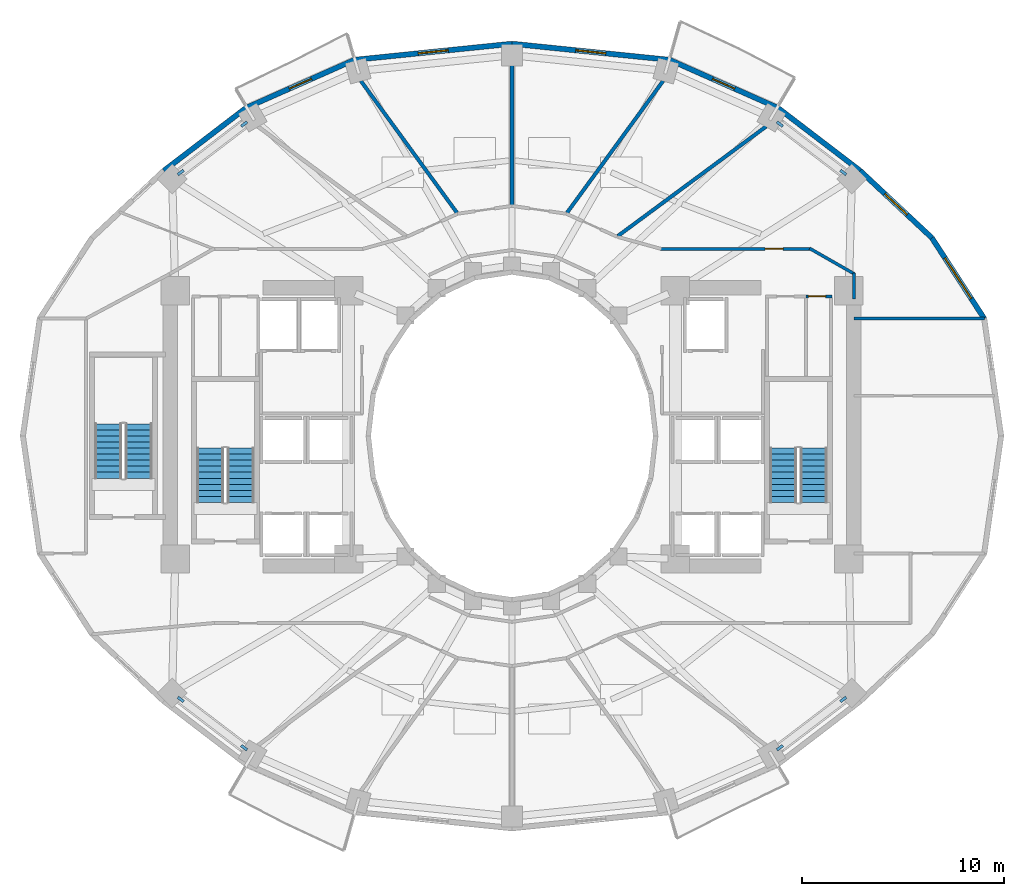
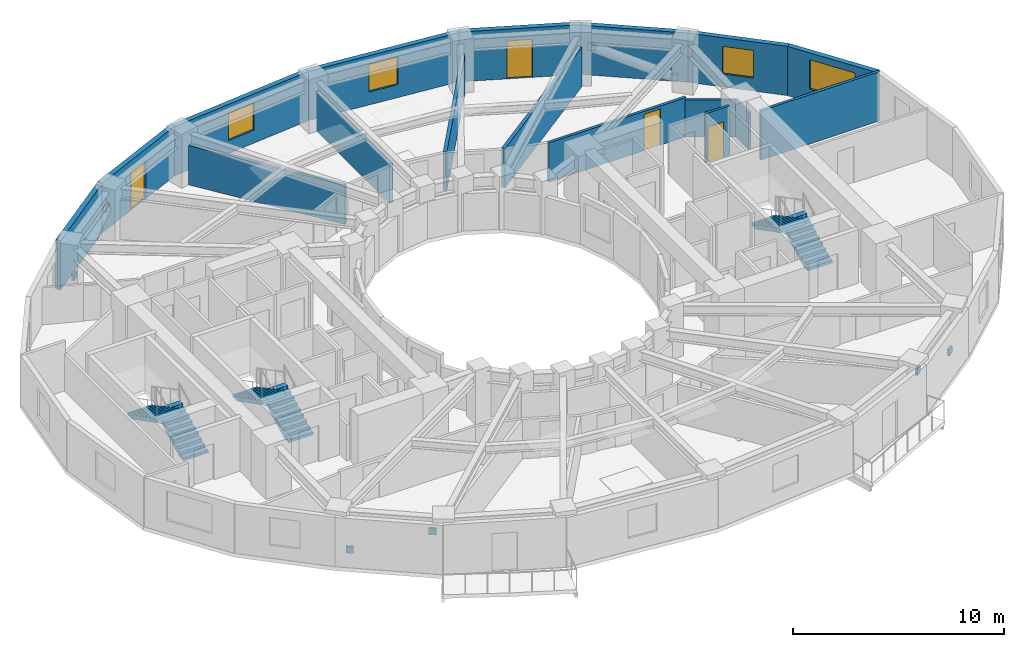
# One storey, part 7 of 10: 17 walls, 8 discrete accessories, 6 stair flights, 4 doors, 4 windows, 8 openings, 3 elements without a shape of their own.
"""IFC4 building model written with IfcOpenShell, lengths in metres."""

from ifc_helpers import new_model, si_unit, direction, frame, frame_2d, origin, origin_2d, place, context, subcontext, project, spatial, polyline, rectangle, outline, extrude, material, layer, layer_set, type_object, element, fill, aggregate, save


model = new_model("IFC4")

# Units and contexts
model_context = context("Model", 3, precision=1e-05, world=origin(), true_north=direction((0.0, 1.0)))
body_context = subcontext(model_context, "Body", "Model", "MODEL_VIEW")
ifc_project = project(units=[si_unit("LENGTHUNIT", "METRE"), si_unit("AREAUNIT", "SQUARE_METRE"), si_unit("VOLUMEUNIT", "CUBIC_METRE"), si_unit("PLANEANGLEUNIT", "RADIAN"), si_unit("MASSUNIT", "GRAM", prefix="KILO")], contexts=[model_context])

# Site, building, storey
site_placement = place(None, origin())
site = spatial("IfcSite", under=ifc_project, at=site_placement, CompositionType="ELEMENT")
building_placement = place(site_placement, origin())
building = spatial("IfcBuilding", under=site, at=building_placement, Name="Solvane Sanctuary Tower", CompositionType="ELEMENT")
storey_placement = place(building_placement, frame((0.0, 0.0, 107.300048828125)))
storey = spatial("IfcBuildingStorey", under=building, at=storey_placement, Name="L32", CompositionType="ELEMENT", Elevation=107.300048828125)

# Walls
ifc_material_1 = material(Name="Acoustic Gypsum Partition Board")
ifc_layer_1 = layer(ifc_material_1, 0.14990234375, Name="Acoustic Gypsum Partition Board")
ifc_layer_set_1 = layer_set([ifc_layer_1], Name="Acoustic Gypsum Partition Board")
wall_type_1 = type_object("IfcWallType", Name="Wall W-CORR-150", PredefinedType="PARTITIONING", material=ifc_layer_set_1)
wall_1_placement = place(storey_placement, frame((48.949951171875, 28.8251953125, 0.0), z_axis=(0.0, 0.0, 1.0), x_axis=(1.0, 0.0, 0.0)))
element("IfcWall", 1, at=wall_1_placement, inside=storey, type_object=wall_type_1, Name="L32 East Shoulder North Wall", PredefinedType="PARTITIONING", context=body_context, shape_type="SweptSolid", body=[
    extrude(rectangle(XDim=6.49169921875, YDim=0.14990234375, at=frame_2d((3.245849609375, 0.0))), origin(), (0.0, 0.0, 1.0), 2.85498046875),
])
wall_2_placement = place(storey_placement, frame((48.949951171875, 29.800048828125, 0.0), z_axis=(0.0, 0.0, 1.0), x_axis=(0.0, 1.0, 0.0)))
element("IfcWall", 2, at=wall_2_placement, inside=storey, type_object=wall_type_1, Name="L32 NE Corner Closer 1", PredefinedType="PARTITIONING", context=body_context, shape_type="SweptSolid", body=[
    extrude(rectangle(XDim=1.2900390625, YDim=0.14990234375, at=frame_2d((0.64501953125, 0.0))), origin(), (0.0, 0.0, 1.0), 2.141845703125),
])

# Wall, opening, door
wall_3_placement = place(storey_placement, frame((39.330078125, 32.280029296875, 0.0), z_axis=(0.0, 0.0, 1.0), x_axis=(1.0, 0.0, 0.0)))
wall_3 = element("IfcWall", 3, at=wall_3_placement, inside=storey, type_object=wall_type_1, Name="L32 NE Corner Corridor Wall", PredefinedType="PARTITIONING", context=body_context, shape_type="SweptSolid", body=[
    extrude(rectangle(XDim=7.52001953125, YDim=0.14990234375, at=frame_2d((3.760009765625, 0.0))), origin(), (0.0, 0.0, 1.0), 2.27197265625),
])
opening_1_placement = place(wall_3_placement, frame((5.219970703125, 0.0, 0.0)))
opening_1 = element("IfcOpeningElement", 4, at=opening_1_placement, cuts=wall_3, Name="Opening D-L32-17", PredefinedType="OPENING", context=body_context, shape_type="SweptSolid", body=[
    extrude(rectangle(XDim=0.89990234375, YDim=2.10009765625, at=frame_2d((0.449951171875, 1.050048828125))), frame((0.0, 0.0849609375, 0.0), z_axis=(0.0, -1.0, 0.0), x_axis=(1.0, 0.0, 0.0)), (0.0, 0.0, 1.0), 0.169921875),
])
ifc_material_2 = material(Name="Engineered Tropical Hardwood", Category="wood")
door_type_1 = type_object("IfcDoorType", Name="Door D-WET-900", OperationType="NOTDEFINED", PredefinedType="DOOR", material=ifc_material_2)
door_1_placement = place(opening_1_placement, origin())
door_1 = element("IfcDoor", 5, at=door_1_placement, inside=storey, type_object=door_type_1, Name="L32 NE Corner Salon Door", OperationType="SINGLE_SWING_RIGHT", OverallHeight=2.10009765625, OverallWidth=0.89990234375, PredefinedType="DOOR", context=body_context, shape_type="SweptSolid", body=[
    extrude(rectangle(XDim=0.89990234375, YDim=2.10009765625, at=frame_2d((0.449951171875, 1.050048828125))), frame((0.0, 0.02490234375, 0.0), z_axis=(0.0, -1.0, 0.0), x_axis=(1.0, 0.0, 0.0)), (0.0, 0.0, 1.0), 0.050048828125),
])
fill(opening_1, door_1)

# Wall
wall_4_placement = place(storey_placement, frame((46.756591796875, 32.3046875, 0.0), z_axis=(0.0, 0.0, 1.0), x_axis=(0.867991349648, -0.496579315857, 0.0)))
element("IfcWall", 6, at=wall_4_placement, inside=storey, type_object=wall_type_1, Name="L32 NE Corner Wing Wall", PredefinedType="PARTITIONING", context=body_context, shape_type="SweptSolid", body=[
    extrude(rectangle(XDim=2.56689453125, YDim=0.14990234375, at=frame_2d((1.283447265625, 0.0))), origin(), (0.0, 0.0, 1.0), 2.141845703125),
])

# Wall, opening, window
ifc_material_3 = material(Name="Precast concrete C40/50", Category="concrete")
ifc_layer_2 = layer(ifc_material_3, 0.260009765625, Name="Precast concrete C40/50")
ifc_layer_set_2 = layer_set([ifc_layer_2], Name="Precast concrete C40/50")
wall_type_2 = type_object("IfcWallType", Name="Wall W-EXT-250", PredefinedType="STANDARD", material=ifc_layer_set_2)
wall_5_placement = place(storey_placement, frame((55.421875, 28.818603515625, 0.0), z_axis=(0.0, 0.0, 1.0), x_axis=(-0.544388392991, 0.838833283541, 0.0)))
wall_5 = element("IfcWall", 7, at=wall_5_placement, inside=storey, type_object=wall_type_2, Name="L32 Ceramic-Printed Facade Wall 01", PredefinedType="STANDARD", context=body_context, shape_type="SweptSolid", body=[
    extrude(rectangle(XDim=4.7783203125, YDim=0.260009765625, at=frame_2d((2.38916015625, 0.0))), origin(), (0.0, 0.0, 1.0), 2.849853515625),
])
opening_2_placement = place(wall_5_placement, frame((1.189208984375, 0.0, 0.75)))
opening_2 = element("IfcOpeningElement", 8, at=opening_2_placement, cuts=wall_5, Name="Opening WN-RIB-2400", PredefinedType="OPENING", context=body_context, shape_type="SweptSolid", body=[
    extrude(rectangle(XDim=2.39990234375, YDim=1.699951171875, at=frame_2d((1.199951171875, 0.85009765625))), frame((0.0, 0.139892578125, 0.0), z_axis=(0.0, -1.0, 0.0), x_axis=(1.0, 0.0, 0.0)), (0.0, 0.0, 1.0), 0.280029296875),
])
ifc_material_4 = material(Name="Dark Ceramic-Fritted Low-E Glass", Category="glass")
window_type_1 = type_object("IfcWindowType", Name="Window WN-RIB-2400", PartitioningType="SINGLE_PANEL", PredefinedType="WINDOW", material=ifc_material_4)
window_1_placement = place(opening_2_placement, origin())
window_1 = element("IfcWindow", 9, at=window_1_placement, inside=storey, type_object=window_type_1, Name="L32 Operable Facade Window 01", OverallHeight=1.699951171875, OverallWidth=2.39990234375, PartitioningType="SINGLE_PANEL", PredefinedType="WINDOW", context=body_context, shape_type="SweptSolid", body=[
    extrude(rectangle(XDim=2.39990234375, YDim=1.699951171875, at=frame_2d((1.199951171875, 0.85009765625))), frame((0.0, 0.030029296875, 0.0), z_axis=(0.0, -1.0, 0.0), x_axis=(1.0, 0.0, 0.0)), (0.0, 0.0, 1.0), 0.06005859375),
])
fill(opening_2, window_1)

wall_6_placement = place(storey_placement, frame((52.820556640625, 32.826904296875, 0.0), z_axis=(0.0, 0.0, 1.0), x_axis=(-0.730162452258, 0.68327358599, 0.0)))
wall_6 = element("IfcWall", 10, at=wall_6_placement, inside=storey, type_object=wall_type_2, Name="L32 Ceramic-Printed Facade Wall 02", PredefinedType="STANDARD", context=body_context, shape_type="SweptSolid", body=[
    extrude(rectangle(XDim=4.868408203125, YDim=0.260009765625, at=frame_2d((2.43408203125, 0.0))), origin(), (0.0, 0.0, 1.0), 2.849853515625),
])
opening_3_placement = place(wall_6_placement, frame((1.68408203125, 0.0, 0.75)))
opening_3 = element("IfcOpeningElement", 11, at=opening_3_placement, cuts=wall_6, Name="Opening WN-OPER-1500", PredefinedType="OPENING", context=body_context, shape_type="SweptSolid", body=[
    extrude(rectangle(XDim=1.5, YDim=1.60009765625, at=frame_2d((0.75, 0.800048828125))), frame((0.0, 0.139892578125, 0.0), z_axis=(0.0, -1.0, 0.0), x_axis=(1.0, 0.0, 0.0)), (0.0, 0.0, 1.0), 0.280029296875),
])
window_type_2 = type_object("IfcWindowType", Name="Window WN-OPER-1500", PartitioningType="SINGLE_PANEL", PredefinedType="WINDOW", material=ifc_material_4)
window_2_placement = place(opening_3_placement, origin())
window_2 = element("IfcWindow", 12, at=window_2_placement, inside=storey, type_object=window_type_2, Name="L32 Operable Facade Window 02", OverallHeight=1.60009765625, OverallWidth=1.5, PartitioningType="SINGLE_PANEL", PredefinedType="WINDOW", context=body_context, shape_type="SweptSolid", body=[
    extrude(rectangle(XDim=1.5, YDim=1.60009765625, at=frame_2d((0.75, 0.800048828125))), frame((0.0, 0.030029296875, 0.0), z_axis=(0.0, -1.0, 0.0), x_axis=(1.0, 0.0, 0.0)), (0.0, 0.0, 1.0), 0.06005859375),
])
fill(opening_3, window_2)

# Wall
wall_7_placement = place(storey_placement, frame((49.265869140625, 36.1533203125, 0.0), z_axis=(0.0, 0.0, 1.0), x_axis=(-0.794809810864, 0.606858603427, 0.0)))
element("IfcWall", 13, at=wall_7_placement, inside=storey, type_object=wall_type_2, Name="L32 Ceramic-Printed Facade Wall 03", PredefinedType="STANDARD", context=body_context, shape_type="SweptSolid", body=[
    extrude(rectangle(XDim=5.149169921875, YDim=0.260009765625, at=frame_2d((2.57470703125, 0.0))), origin(), (0.0, 0.0, 1.0), 2.849853515625),
])

# Wall, opening, door
wall_8_placement = place(storey_placement, frame((45.17333984375, 39.278076171875, 0.0), z_axis=(0.0, 0.0, 1.0), x_axis=(-0.914336605747, 0.404955023911, 0.0)))
wall_8 = element("IfcWall", 14, at=wall_8_placement, inside=storey, type_object=wall_type_2, Name="L32 Balcony Facade Wall N1", PredefinedType="STANDARD", context=body_context, shape_type="SweptSolid", body=[
    extrude(rectangle(XDim=5.85888671875, YDim=0.260009765625, at=frame_2d((2.929443359375, 0.0))), origin(), (0.0, 0.0, 1.0), 2.8798828125),
])
opening_4_placement = place(wall_8_placement, frame((2.329345703125, 0.0, 0.0)))
opening_4 = element("IfcOpeningElement", 15, at=opening_4_placement, cuts=wall_8, Name="Opening D-L32-01", PredefinedType="OPENING", context=body_context, shape_type="SweptSolid", body=[
    extrude(rectangle(XDim=1.199951171875, YDim=2.199951171875, at=frame_2d((0.60009765625, 1.10009765625))), frame((0.0, 0.139892578125, 0.0), z_axis=(0.0, -1.0, 0.0), x_axis=(1.0, 0.0, 0.0)), (0.0, 0.0, 1.0), 0.280029296875),
])
ifc_material_5 = material(Name="Anodised Aluminium 6063-T6", Category="aluminium")
door_type_2 = type_object("IfcDoorType", Name="Door D-BALC-1200", OperationType="NOTDEFINED", PredefinedType="DOOR", material=ifc_material_5)
door_2_placement = place(opening_4_placement, origin())
door_2 = element("IfcDoor", 16, at=door_2_placement, inside=storey, type_object=door_type_2, Name="L32 Glazed Balcony Door N1", OperationType="SINGLE_SWING_RIGHT", OverallHeight=2.199951171875, OverallWidth=1.199951171875, PredefinedType="DOOR", context=body_context, shape_type="SweptSolid", body=[
    extrude(rectangle(XDim=1.199951171875, YDim=2.199951171875, at=frame_2d((0.60009765625, 1.10009765625))), frame((0.0, 0.02490234375, 0.0), z_axis=(0.0, -1.0, 0.0), x_axis=(1.0, 0.0, 0.0)), (0.0, 0.0, 1.0), 0.050048828125),
])
fill(opening_4, door_2)

# Wall, opening, window
wall_9_placement = place(storey_placement, frame((39.81640625, 41.650634765625, 0.0), z_axis=(0.0, 0.0, 1.0), x_axis=(-0.994821390558, 0.101638579726, 0.0)))
wall_9 = element("IfcWall", 17, at=wall_9_placement, inside=storey, type_object=wall_type_2, Name="L32 Ceramic-Printed Facade Wall 05", PredefinedType="STANDARD", context=body_context, shape_type="SweptSolid", body=[
    extrude(rectangle(XDim=7.857177734375, YDim=0.260009765625, at=frame_2d((3.9287109375, 0.0))), origin(), (0.0, 0.0, 1.0), 2.849853515625),
])
opening_5_placement = place(wall_9_placement, frame((3.178466796875, 0.0, 0.75)))
opening_5 = element("IfcOpeningElement", 18, at=opening_5_placement, cuts=wall_9, Name="Opening WN-OPER-1500", PredefinedType="OPENING", context=body_context, shape_type="SweptSolid", body=[
    extrude(rectangle(XDim=1.5, YDim=1.60009765625, at=frame_2d((0.75, 0.800048828125))), frame((0.0, 0.139892578125, 0.0), z_axis=(0.0, -1.0, 0.0), x_axis=(1.0, 0.0, 0.0)), (0.0, 0.0, 1.0), 0.280029296875),
])
window_3_placement = place(opening_5_placement, origin())
window_3 = element("IfcWindow", 19, at=window_3_placement, inside=storey, type_object=window_type_2, Name="L32 Operable Facade Window 05", OverallHeight=1.60009765625, OverallWidth=1.5, PartitioningType="SINGLE_PANEL", PredefinedType="WINDOW", context=body_context, shape_type="SweptSolid", body=[
    extrude(rectangle(XDim=1.5, YDim=1.60009765625, at=frame_2d((0.75, 0.800048828125))), frame((0.0, 0.030029296875, 0.0), z_axis=(0.0, -1.0, 0.0), x_axis=(1.0, 0.0, 0.0)), (0.0, 0.0, 1.0), 0.06005859375),
])
fill(opening_5, window_3)

wall_10_placement = place(storey_placement, frame((32.0, 42.44921875, 0.0), z_axis=(0.0, 0.0, 1.0), x_axis=(-0.994821390558, -0.101638579726, 0.0)))
wall_10 = element("IfcWall", 20, at=wall_10_placement, inside=storey, type_object=wall_type_2, Name="L32 Ceramic-Printed Facade Wall 06", PredefinedType="STANDARD", context=body_context, shape_type="SweptSolid", body=[
    extrude(rectangle(XDim=7.857177734375, YDim=0.260009765625, at=frame_2d((3.9287109375, 0.0))), origin(), (0.0, 0.0, 1.0), 2.849853515625),
])
opening_6_placement = place(wall_10_placement, frame((3.178466796875, 0.0, 0.75)))
opening_6 = element("IfcOpeningElement", 21, at=opening_6_placement, cuts=wall_10, Name="Opening WN-OPER-1500", PredefinedType="OPENING", context=body_context, shape_type="SweptSolid", body=[
    extrude(rectangle(XDim=1.5, YDim=1.60009765625, at=frame_2d((0.75, 0.800048828125))), frame((0.0, 0.139892578125, 0.0), z_axis=(0.0, -1.0, 0.0), x_axis=(1.0, 0.0, 0.0)), (0.0, 0.0, 1.0), 0.280029296875),
])
window_4_placement = place(opening_6_placement, origin())
window_4 = element("IfcWindow", 22, at=window_4_placement, inside=storey, type_object=window_type_2, Name="L32 Operable Facade Window 06", OverallHeight=1.60009765625, OverallWidth=1.5, PartitioningType="SINGLE_PANEL", PredefinedType="WINDOW", context=body_context, shape_type="SweptSolid", body=[
    extrude(rectangle(XDim=1.5, YDim=1.60009765625, at=frame_2d((0.75, 0.800048828125))), frame((0.0, 0.030029296875, 0.0), z_axis=(0.0, -1.0, 0.0), x_axis=(1.0, 0.0, 0.0)), (0.0, 0.0, 1.0), 0.06005859375),
])
fill(opening_6, window_4)

# Wall, opening, door
wall_11_placement = place(storey_placement, frame((24.18359375, 41.650634765625, 0.0), z_axis=(0.0, 0.0, 1.0), x_axis=(-0.914336605747, -0.404955023911, 0.0)))
wall_11 = element("IfcWall", 23, at=wall_11_placement, inside=storey, type_object=wall_type_2, Name="L32 Balcony Facade Wall N2", PredefinedType="STANDARD", context=body_context, shape_type="SweptSolid", body=[
    extrude(rectangle(XDim=5.85888671875, YDim=0.260009765625, at=frame_2d((2.929443359375, 0.0))), origin(), (0.0, 0.0, 1.0), 2.8798828125),
])
opening_7_placement = place(wall_11_placement, frame((2.329345703125, 0.0, 0.0)))
opening_7 = element("IfcOpeningElement", 24, at=opening_7_placement, cuts=wall_11, Name="Opening D-L32-02", PredefinedType="OPENING", context=body_context, shape_type="SweptSolid", body=[
    extrude(rectangle(XDim=1.199951171875, YDim=2.199951171875, at=frame_2d((0.60009765625, 1.10009765625))), frame((0.0, 0.139892578125, 0.0), z_axis=(0.0, -1.0, 0.0), x_axis=(1.0, 0.0, 0.0)), (0.0, 0.0, 1.0), 0.280029296875),
])
door_3_placement = place(opening_7_placement, origin())
door_3 = element("IfcDoor", 25, at=door_3_placement, inside=storey, type_object=door_type_2, Name="L32 Glazed Balcony Door N2", OperationType="SINGLE_SWING_LEFT", OverallHeight=2.199951171875, OverallWidth=1.199951171875, PredefinedType="DOOR", context=body_context, shape_type="SweptSolid", body=[
    extrude(rectangle(XDim=1.199951171875, YDim=2.199951171875, at=frame_2d((0.60009765625, 1.10009765625))), frame((0.0, 0.02490234375, 0.0), z_axis=(0.0, -1.0, 0.0), x_axis=(1.0, 0.0, 0.0)), (0.0, 0.0, 1.0), 0.050048828125),
])
fill(opening_7, door_3)

# Walls
wall_12_placement = place(storey_placement, frame((18.82666015625, 39.278076171875, 0.0), z_axis=(0.0, 0.0, 1.0), x_axis=(-0.794809810864, -0.606858603427, 0.0)))
element("IfcWall", 26, at=wall_12_placement, inside=storey, type_object=wall_type_2, Name="L32 Ceramic-Printed Facade Wall 08", PredefinedType="STANDARD", context=body_context, shape_type="SweptSolid", body=[
    extrude(rectangle(XDim=5.149169921875, YDim=0.260009765625, at=frame_2d((2.57470703125, 0.0))), origin(), (0.0, 0.0, 1.0), 2.849853515625),
])
ifc_layer_3 = layer(ifc_material_1, 0.179931640625, Name="Acoustic Gypsum Partition Board")
ifc_layer_set_3 = layer_set([ifc_layer_3], Name="Acoustic Gypsum Partition Board")
wall_type_3 = type_object("IfcWallType", Name="Wall W-UNIT-180", PredefinedType="PARTITIONING", material=ifc_layer_set_3)
wall_13_placement = place(storey_placement, frame((37.249267578125, 32.9140625, 0.0), z_axis=(0.0, 0.0, 1.0), x_axis=(0.80430981394, 0.594210167533, 0.0)))
element("IfcWall", 27, at=wall_13_placement, inside=storey, type_object=wall_type_3, Name="L32 Radial Compartment Wall 060", PredefinedType="PARTITIONING", context=body_context, shape_type="SweptSolid", body=[
    extrude(rectangle(XDim=9.146240234375, YDim=0.179931640625, at=frame_2d((4.5732421875, 0.0))), origin(), (0.0, 0.0, 1.0), 2.27197265625),
])
wall_14_placement = place(storey_placement, frame((34.726806640625, 34.065673828125, 0.0), z_axis=(0.0, 0.0, 1.0), x_axis=(0.589042211476, 0.808102266486, 0.0)))
element("IfcWall", 28, at=wall_14_placement, inside=storey, type_object=wall_type_3, Name="L32 Radial Compartment Wall 075", PredefinedType="PARTITIONING", context=body_context, shape_type="SweptSolid", body=[
    extrude(rectangle(XDim=8.101318359375, YDim=0.179931640625, at=frame_2d((4.05078125, 0.0))), origin(), (0.0, 0.0, 1.0), 2.27197265625),
])
wall_15_placement = place(storey_placement, frame((32.0, 34.465087890625, 0.0), z_axis=(0.0, 0.0, 1.0), x_axis=(0.0, 1.0, 0.0)))
element("IfcWall", 29, at=wall_15_placement, inside=storey, type_object=wall_type_3, Name="L32 Radial Compartment Wall 090", PredefinedType="PARTITIONING", context=body_context, shape_type="SweptSolid", body=[
    extrude(rectangle(XDim=6.909912109375, YDim=0.179931640625, at=frame_2d((3.455078125, 0.0))), origin(), (0.0, 0.0, 1.0), 2.27197265625),
])
wall_16_placement = place(storey_placement, frame((29.273193359375, 34.065673828125, 0.0), z_axis=(0.0, 0.0, 1.0), x_axis=(-0.589042211476, 0.808102266486, 0.0)))
element("IfcWall", 30, at=wall_16_placement, inside=storey, type_object=wall_type_3, Name="L32 Radial Compartment Wall 105", PredefinedType="PARTITIONING", context=body_context, shape_type="SweptSolid", body=[
    extrude(rectangle(XDim=8.101318359375, YDim=0.179931640625, at=frame_2d((4.05078125, 0.0))), origin(), (0.0, 0.0, 1.0), 2.27197265625),
])

# Wall, opening, door
ifc_layer_4 = layer(ifc_material_1, 0.139892578125, Name="Acoustic Gypsum Partition Board")
ifc_layer_set_4 = layer_set([ifc_layer_4], Name="Acoustic Gypsum Partition Board")
wall_type_4 = type_object("IfcWallType", Name="Wall W-WET-140", PredefinedType="PLUMBINGWALL", material=ifc_layer_set_4)
wall_17_placement = place(storey_placement, frame((46.580078125, 29.919921875, 0.0), z_axis=(0.0, 0.0, 1.0), x_axis=(1.0, 0.0, 0.0)))
wall_17 = element("IfcWall", 31, at=wall_17_placement, inside=storey, type_object=wall_type_4, Name="L32 Core Service Front Wall KE2", PredefinedType="PLUMBINGWALL", context=body_context, shape_type="SweptSolid", body=[
    extrude(rectangle(XDim=1.2998046875, YDim=0.139892578125, at=frame_2d((0.64990234375, 0.0))), origin(), (0.0, 0.0, 1.0), 2.85498046875),
])
opening_8_placement = place(wall_17_placement, frame((0.1201171875, 0.0, 0.0)))
opening_8 = element("IfcOpeningElement", 32, at=opening_8_placement, cuts=wall_17, Name="Opening D-L32-13", PredefinedType="OPENING", context=body_context, shape_type="SweptSolid", body=[
    extrude(rectangle(XDim=0.85009765625, YDim=2.050048828125, at=frame_2d((0.425048828125, 1.02490234375))), frame((0.0, 0.079833984375, 0.0), z_axis=(0.0, -1.0, 0.0), x_axis=(1.0, 0.0, 0.0)), (0.0, 0.0, 1.0), 0.159912109375),
])
ifc_material_6 = material(Name="Architectural Stainless Steel 316", Category="steel")
door_type_3 = type_object("IfcDoorType", Name="Door D-RISER", OperationType="NOTDEFINED", PredefinedType="DOOR", material=ifc_material_6)
door_4_placement = place(opening_8_placement, origin())
door_4 = element("IfcDoor", 33, at=door_4_placement, inside=storey, type_object=door_type_3, Name="L32 Core Service Room Door KE2-1", OperationType="SINGLE_SWING_RIGHT", OverallHeight=2.050048828125, OverallWidth=0.85009765625, PredefinedType="DOOR", context=body_context, shape_type="SweptSolid", body=[
    extrude(rectangle(XDim=0.85009765625, YDim=2.050048828125, at=frame_2d((0.425048828125, 1.02490234375))), frame((0.0, 0.02490234375, 0.0), z_axis=(0.0, -1.0, 0.0), x_axis=(1.0, 0.0, 0.0)), (0.0, 0.0, 1.0), 0.050048828125),
])
fill(opening_8, door_4)

# Stair, stair flights
ifc_material_7 = material(Name="Concrete C45/55", Category="concrete")
stair_type = type_object("IfcStairType", Name="Stair ST-TOW", PredefinedType="HALF_TURN_STAIR", material=ifc_material_7)
stair_1_placement = place(storey_placement, origin())
stair_1 = element("IfcStair", 34, at=stair_1_placement, inside=storey, type_object=stair_type, Name="L32 Exit Stair ST-1 West Core", PredefinedType="HALF_TURN_STAIR")
stair_flight_type = type_object("IfcStairFlightType", Name="StairFlight SF-TOW", PredefinedType="STRAIGHT", material=ifc_material_7)
stair_flight_1_placement = place(storey_placement, frame((18.544921875, 19.699951171875, 0.0), z_axis=(0.0, 0.0, 1.0), x_axis=(0.0, 1.0, 0.0)))
stair_flight_1 = element("IfcStairFlight", 35, at=stair_flight_1_placement, type_object=stair_flight_type, Name="ST-1 flight 1", NumberOfRisers=10, NumberOfTreads=9, PredefinedType="STRAIGHT", RiserHeight=0.155, TreadLength=0.3, context=body_context, shape_type="SweptSolid", body=[
    extrude(outline(polyline([(0.0, 0.0), (0.0, 0.155029296875), (0.300048828125, 0.155029296875), (0.300048828125, 0.31005859375), (0.60009765625, 0.31005859375), (0.60009765625, 0.465087890625), (0.89990234375, 0.465087890625), (0.89990234375, 0.6201171875), (1.199951171875, 0.6201171875), (1.199951171875, 0.77490234375), (1.5, 0.77490234375), (1.5, 0.929931640625), (1.800048828125, 0.929931640625), (1.800048828125, 1.0849609375), (2.10009765625, 1.0849609375), (2.10009765625, 1.239990234375), (2.39990234375, 1.239990234375), (2.39990234375, 1.39501953125), (2.699951171875, 1.39501953125), (2.699951171875, 1.550048828125), (2.699951171875, 1.1923828125), (0.39208984375, 0.0), (0.0, 0.0)])), frame((0.0, 0.675048828125, 0.0), z_axis=(0.0, -1.0, 0.0), x_axis=(1.0, 0.0, 0.0)), (0.0, 0.0, 1.0), 1.35009765625),
])
stair_flight_2_placement = place(storey_placement, frame((17.034912109375, 22.39990234375, 1.550048828125), z_axis=(0.0, 0.0, 1.0), x_axis=(0.0, -1.0, 0.0)))
stair_flight_2 = element("IfcStairFlight", 36, at=stair_flight_2_placement, type_object=stair_flight_type, Name="ST-1 flight 2", NumberOfRisers=10, NumberOfTreads=9, PredefinedType="STRAIGHT", RiserHeight=0.155, TreadLength=0.3, context=body_context, shape_type="SweptSolid", body=[
    extrude(outline(polyline([(0.0, 0.0), (0.0, 0.155029296875), (0.300048828125, 0.155029296875), (0.300048828125, 0.31005859375), (0.60009765625, 0.31005859375), (0.60009765625, 0.465087890625), (0.89990234375, 0.465087890625), (0.89990234375, 0.6201171875), (1.199951171875, 0.6201171875), (1.199951171875, 0.77490234375), (1.5, 0.77490234375), (1.5, 0.929931640625), (1.800048828125, 0.929931640625), (1.800048828125, 1.0849609375), (2.10009765625, 1.0849609375), (2.10009765625, 1.239990234375), (2.39990234375, 1.239990234375), (2.39990234375, 1.39501953125), (2.699951171875, 1.39501953125), (2.699951171875, 1.550048828125), (2.699951171875, 1.1923828125), (0.39208984375, 0.0), (0.0, 0.0)])), frame((0.0, 0.675048828125, 0.0), z_axis=(0.0, -1.0, 0.0), x_axis=(1.0, 0.0, 0.0)), (0.0, 0.0, 1.0), 1.35009765625),
])
aggregate(stair_1, [stair_flight_1, stair_flight_2])

stair_2_placement = place(storey_placement, origin())
stair_2 = element("IfcStair", 37, at=stair_2_placement, inside=storey, type_object=stair_type, Name="L32 Exit Stair ST-2 East Core", PredefinedType="HALF_TURN_STAIR")
stair_flight_3_placement = place(storey_placement, frame((46.965087890625, 19.699951171875, 0.0), z_axis=(0.0, 0.0, 1.0), x_axis=(0.0, 1.0, 0.0)))
stair_flight_3 = element("IfcStairFlight", 38, at=stair_flight_3_placement, type_object=stair_flight_type, Name="ST-2 flight 1", NumberOfRisers=10, NumberOfTreads=9, PredefinedType="STRAIGHT", RiserHeight=0.155, TreadLength=0.3, context=body_context, shape_type="SweptSolid", body=[
    extrude(outline(polyline([(0.0, 0.0), (0.0, 0.155029296875), (0.300048828125, 0.155029296875), (0.300048828125, 0.31005859375), (0.60009765625, 0.31005859375), (0.60009765625, 0.465087890625), (0.89990234375, 0.465087890625), (0.89990234375, 0.6201171875), (1.199951171875, 0.6201171875), (1.199951171875, 0.77490234375), (1.5, 0.77490234375), (1.5, 0.929931640625), (1.800048828125, 0.929931640625), (1.800048828125, 1.0849609375), (2.10009765625, 1.0849609375), (2.10009765625, 1.239990234375), (2.39990234375, 1.239990234375), (2.39990234375, 1.39501953125), (2.699951171875, 1.39501953125), (2.699951171875, 1.550048828125), (2.699951171875, 1.1923828125), (0.39208984375, 0.0), (0.0, 0.0)])), frame((0.0, 0.675048828125, 0.0), z_axis=(0.0, -1.0, 0.0), x_axis=(1.0, 0.0, 0.0)), (0.0, 0.0, 1.0), 1.35009765625),
])
stair_flight_4_placement = place(storey_placement, frame((45.455078125, 22.39990234375, 1.550048828125), z_axis=(0.0, 0.0, 1.0), x_axis=(0.0, -1.0, 0.0)))
stair_flight_4 = element("IfcStairFlight", 39, at=stair_flight_4_placement, type_object=stair_flight_type, Name="ST-2 flight 2", NumberOfRisers=10, NumberOfTreads=9, PredefinedType="STRAIGHT", RiserHeight=0.155, TreadLength=0.3, context=body_context, shape_type="SweptSolid", body=[
    extrude(outline(polyline([(0.0, 0.0), (0.0, 0.155029296875), (0.300048828125, 0.155029296875), (0.300048828125, 0.31005859375), (0.60009765625, 0.31005859375), (0.60009765625, 0.465087890625), (0.89990234375, 0.465087890625), (0.89990234375, 0.6201171875), (1.199951171875, 0.6201171875), (1.199951171875, 0.77490234375), (1.5, 0.77490234375), (1.5, 0.929931640625), (1.800048828125, 0.929931640625), (1.800048828125, 1.0849609375), (2.10009765625, 1.0849609375), (2.10009765625, 1.239990234375), (2.39990234375, 1.239990234375), (2.39990234375, 1.39501953125), (2.699951171875, 1.39501953125), (2.699951171875, 1.550048828125), (2.699951171875, 1.1923828125), (0.39208984375, 0.0), (0.0, 0.0)])), frame((0.0, 0.675048828125, 0.0), z_axis=(0.0, -1.0, 0.0), x_axis=(1.0, 0.0, 0.0)), (0.0, 0.0, 1.0), 1.35009765625),
])
aggregate(stair_2, [stair_flight_3, stair_flight_4])

stair_3_placement = place(storey_placement, origin())
stair_3 = element("IfcStair", 40, at=stair_3_placement, inside=storey, type_object=stair_type, Name="L32 Exit Stair ST-3 Pilgrim Tower Stair", PredefinedType="HALF_TURN_STAIR")
stair_flight_5_placement = place(storey_placement, frame((13.485107421875, 20.89990234375, 0.0), z_axis=(0.0, 0.0, 1.0), x_axis=(0.0, 1.0, 0.0)))
stair_flight_5 = element("IfcStairFlight", 41, at=stair_flight_5_placement, type_object=stair_flight_type, Name="ST-3 flight 1", NumberOfRisers=10, NumberOfTreads=9, PredefinedType="STRAIGHT", RiserHeight=0.155, TreadLength=0.3, context=body_context, shape_type="SweptSolid", body=[
    extrude(outline(polyline([(0.0, 0.0), (0.0, 0.155029296875), (0.300048828125, 0.155029296875), (0.300048828125, 0.31005859375), (0.60009765625, 0.31005859375), (0.60009765625, 0.465087890625), (0.89990234375, 0.465087890625), (0.89990234375, 0.6201171875), (1.199951171875, 0.6201171875), (1.199951171875, 0.77490234375), (1.5, 0.77490234375), (1.5, 0.929931640625), (1.800048828125, 0.929931640625), (1.800048828125, 1.0849609375), (2.10009765625, 1.0849609375), (2.10009765625, 1.239990234375), (2.39990234375, 1.239990234375), (2.39990234375, 1.39501953125), (2.699951171875, 1.39501953125), (2.699951171875, 1.550048828125), (2.699951171875, 1.1923828125), (0.39208984375, 0.0), (0.0, 0.0)])), frame((0.0, 0.675048828125, 0.0), z_axis=(0.0, -1.0, 0.0), x_axis=(1.0, 0.0, 0.0)), (0.0, 0.0, 1.0), 1.35009765625),
])
stair_flight_6_placement = place(storey_placement, frame((11.97509765625, 23.60009765625, 1.550048828125), z_axis=(0.0, 0.0, 1.0), x_axis=(0.0, -1.0, 0.0)))
stair_flight_6 = element("IfcStairFlight", 42, at=stair_flight_6_placement, type_object=stair_flight_type, Name="ST-3 flight 2", NumberOfRisers=10, NumberOfTreads=9, PredefinedType="STRAIGHT", RiserHeight=0.155, TreadLength=0.3, context=body_context, shape_type="SweptSolid", body=[
    extrude(outline(polyline([(0.0, 0.0), (0.0, 0.155029296875), (0.300048828125, 0.155029296875), (0.300048828125, 0.31005859375), (0.60009765625, 0.31005859375), (0.60009765625, 0.465087890625), (0.89990234375, 0.465087890625), (0.89990234375, 0.6201171875), (1.199951171875, 0.6201171875), (1.199951171875, 0.77490234375), (1.5, 0.77490234375), (1.5, 0.929931640625), (1.800048828125, 0.929931640625), (1.800048828125, 1.0849609375), (2.10009765625, 1.0849609375), (2.10009765625, 1.239990234375), (2.39990234375, 1.239990234375), (2.39990234375, 1.39501953125), (2.699951171875, 1.39501953125), (2.699951171875, 1.550048828125), (2.699951171875, 1.1923828125), (0.39208984375, 0.0), (0.0, 0.0)])), frame((0.0, 0.675048828125, 0.0), z_axis=(0.0, -1.0, 0.0), x_axis=(1.0, 0.0, 0.0)), (0.0, 0.0, 1.0), 1.35009765625),
])
aggregate(stair_3, [stair_flight_5, stair_flight_6])

# Discrete accessories
ifc_material_8 = material(Name="Steel ASTM A572 Grade 50", Category="steel")
ifc_layer_5 = layer(ifc_material_8, 0.360107421875, Name="Steel ASTM A572 Grade 50")
ifc_layer_set_5 = layer_set([ifc_layer_5], Name="Steel ASTM A572 Grade 50")
discrete_accessory_type = type_object("IfcDiscreteAccessoryType", Name="Accessory ACC-GUSSET-BRK", PredefinedType="BRACKET", material=ifc_layer_set_5)
for number, where, z_axis, x_axis, name in (
    (43, (48.427734375, 36.066650390625, 0.390625), (0.0, 0.0, 1.0), (-0.795473480855, 0.605988400266, 0.0), "L32 Perimeter Braced-Tube Diagonal NE End Gusset Bracket A"),
    (44, (45.283203125, 38.462646484375, 1.80126953125), (0.0, 0.0, 1.0), (-0.795473480855, 0.605988400266, 0.0), "L32 Perimeter Braced-Tube Diagonal NE End Gusset Bracket B"),
    (45, (15.572265625, 36.066650390625, 0.390625), (0.0, 0.0, 1.0), (0.795473480855, 0.605988400266, 0.0), "L32 Perimeter Braced-Tube Diagonal NW End Gusset Bracket A"),
    (46, (18.716796875, 38.462646484375, 1.80126953125), (0.0, 0.0, 1.0), (0.795473480855, 0.605988400266, 0.0), "L32 Perimeter Braced-Tube Diagonal NW End Gusset Bracket B"),
    (47, (15.572265625, 9.933349609375, 0.390625), (0.0, 0.0, 1.0), (0.795473480855, -0.605988400266, 0.0), "L32 Perimeter Braced-Tube Diagonal SW End Gusset Bracket A"),
    (48, (18.716796875, 7.537353515625, 1.80126953125), (0.0, 0.0, 1.0), (0.795473480855, -0.605988400266, 0.0), "L32 Perimeter Braced-Tube Diagonal SW End Gusset Bracket B"),
    (49, (48.427734375, 9.933349609375, 0.390625), (0.0, 0.0, 1.0), (-0.795473480855, -0.605988400266, 0.0), "L32 Perimeter Braced-Tube Diagonal SE End Gusset Bracket A"),
    (50, (45.283203125, 7.537353515625, 1.80126953125), (0.0, 0.0, 1.0), (-0.795473480855, -0.605988400266, 0.0), "L32 Perimeter Braced-Tube Diagonal SE End Gusset Bracket B"),
):
    element("IfcDiscreteAccessory", number, at=place(storey_placement, frame(where, z_axis=z_axis, x_axis=x_axis)), inside=storey, type_object=discrete_accessory_type, Name=name, PredefinedType="BRACKET", context=body_context, shape_type="SweptSolid", body=[
        extrude(rectangle(XDim=0.360107421875, YDim=0.139892578125, at=origin_2d()), origin(), (0.0, 0.0, 1.0), 0.360107421875),
    ])

save(model, "model.ifc")
